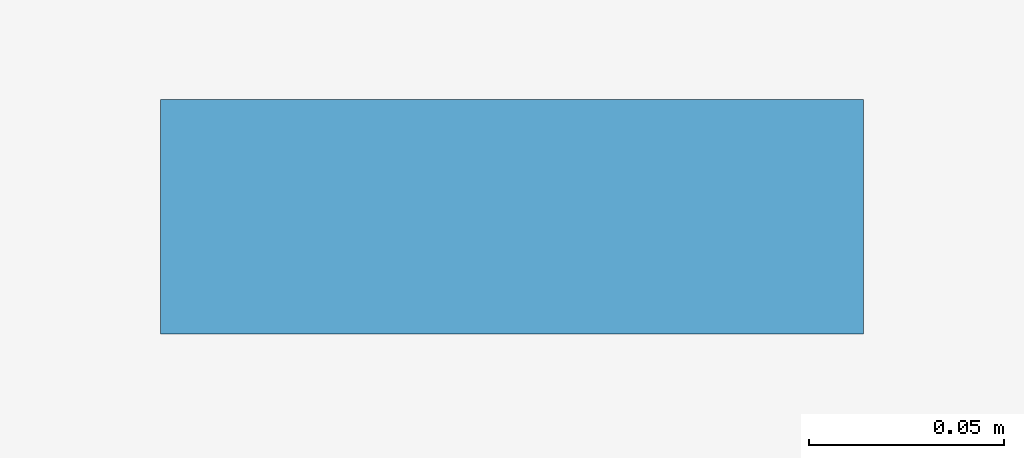
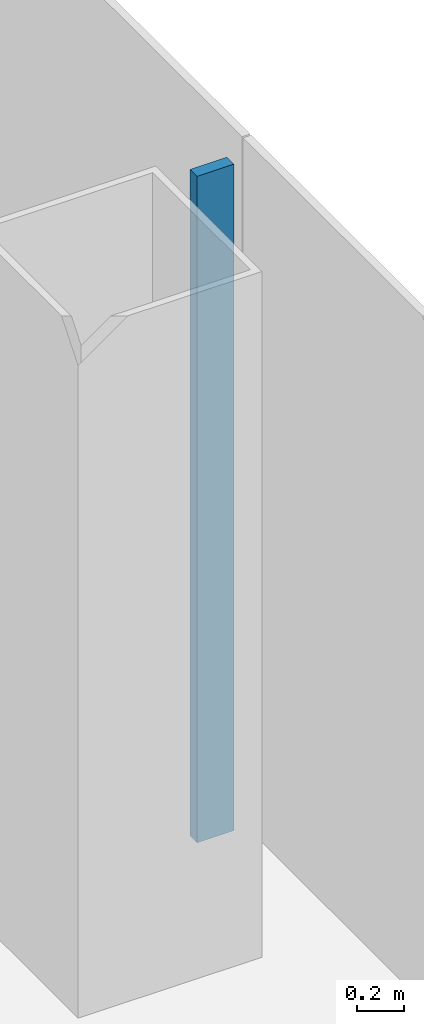
# One storey, part 4 of 20: 1 member, 1 element without a shape of its own.
"""IFC4 building model written with IfcOpenShell, lengths in metres."""

import ifcopenshell
import ifcopenshell.guid

model = None  # the IFC model being written
_history = None  # IfcOwnerHistory: only IFC2X3 demands one
_inside = {}  # id of a spatial element -> (the spatial element, [elements in it])
_under = {}  # id of a project, library or spatial element -> (it, [spatial elements below it])
_declared = {}  # id of a project -> (the project, [libraries it declares])
_typed = {}  # id of a type object -> (the type object, [elements of that type])
_made_of = {}  # id of a material, layer set ... -> (it, [elements and type objects made of it])


def new_model(schema):
    """Start an empty IFC model of exactly this schema.

    Asked for "IFC4X3", IfcOpenShell would pick the latest addendum, in which some entities
    have other attributes; the version numbers below select the first issue.
    IFC2X3 requires an IfcOwnerHistory on every rooted entity: one is made here for all.
    """
    global model, _history
    if schema == "IFC4X3":
        model = ifcopenshell.file(schema_version=(4, 3, 0, 0))
    else:
        model = ifcopenshell.file(schema=schema)
    _inside.clear()
    _under.clear()
    _declared.clear()
    _typed.clear()
    _made_of.clear()
    _history = None
    if model.schema == "IFC2X3":
        org = make("IfcOrganization", Name="unknown")
        user = make(
            "IfcPersonAndOrganization",
            ThePerson=make("IfcPerson", FamilyName="unknown"),
            TheOrganization=org,
        )
        app = make(
            "IfcApplication",
            ApplicationDeveloper=org,
            Version="unknown",
            ApplicationFullName="unknown",
            ApplicationIdentifier="unknown",
        )
        _history = make(
            "IfcOwnerHistory",
            OwningUser=user,
            OwningApplication=app,
            ChangeAction="ADDED",
            CreationDate=0,
        )
    return model


def make(cls, **values):
    """One entity of the class cls with the attributes given. An attribute that is None is left unset."""
    return model.create_entity(
        cls, **{name: value for name, value in values.items() if value is not None}
    )


def rooted(cls, **values):
    """An entity with a GlobalId (a new one), such as an element, a storey or a relation."""
    return make(cls, GlobalId=ifcopenshell.guid.new(), OwnerHistory=_history, **values)


def si_unit(unit_type, name, prefix=None):
    """IfcSIUnit, for example si_unit("LENGTHUNIT", "METRE", prefix="MILLI")."""
    return make("IfcSIUnit", UnitType=unit_type, Prefix=prefix, Name=name)


def assignment(units):
    """IfcUnitAssignment: the units of a project."""
    return None if units is None else make("IfcUnitAssignment", Units=units)


def point(xyz):
    """IfcCartesianPoint."""
    return None if xyz is None else make("IfcCartesianPoint", Coordinates=xyz)


def direction(xyz):
    """IfcDirection."""
    return None if xyz is None else make("IfcDirection", DirectionRatios=xyz)


def frame(location, z_axis=None, x_axis=None):
    """IfcAxis2Placement3D, a coordinate frame: its origin and axes. An axis left out is left unset."""
    return make(
        "IfcAxis2Placement3D",
        Location=point(location),
        Axis=direction(z_axis),
        RefDirection=direction(x_axis),
    )


def frame_2d(location, x_axis=None):
    """IfcAxis2Placement2D, a coordinate frame in the plane: its origin and x axis."""
    return make(
        "IfcAxis2Placement2D", Location=point(location), RefDirection=direction(x_axis)
    )


def origin():
    """The frame at (0, 0, 0) with its axes left unset."""
    return frame((0.0, 0.0, 0.0))


def origin_2d():
    """The frame at (0, 0) in the plane with its x axis left unset."""
    return frame_2d((0.0, 0.0))


def place(relative_to, where):
    """IfcLocalPlacement: puts the frame where relative to a parent placement (None: the world)."""
    return make(
        "IfcLocalPlacement", PlacementRelTo=relative_to, RelativePlacement=where
    )


def context(
    kind, dimensions, precision=None, world=None, true_north=None, identifier=None
):
    """IfcGeometricRepresentationContext, for example the 3D "Model" context."""
    return make(
        "IfcGeometricRepresentationContext",
        ContextIdentifier=identifier,
        ContextType=kind,
        CoordinateSpaceDimension=dimensions,
        Precision=precision,
        WorldCoordinateSystem=world,
        TrueNorth=true_north,
    )


def subcontext(parent, identifier, kind, view, scale=None):
    """IfcGeometricRepresentationSubContext, for example "Body" below "Model"."""
    return make(
        "IfcGeometricRepresentationSubContext",
        ContextIdentifier=identifier,
        ContextType=kind,
        ParentContext=parent,
        TargetScale=scale,
        TargetView=view,
    )


def project(units=None, contexts=None):
    """IfcProject with its units and contexts."""
    return rooted(
        "IfcProject",
        Name="project",
        RepresentationContexts=contexts,
        UnitsInContext=assignment(units),
    )


def spatial(cls, under=None, at=None, **own):
    """A site, building, storey or space (cls), placed at a placement, below another one or the project."""
    s = rooted(cls, ObjectPlacement=at, **own)
    if under is not None:
        _under.setdefault(under.id(), (under, []))[1].append(s)
    return s


def profile(cls, at=None, kind="AREA", **sizes):
    """A parametric profile (cls). Its sizes go by their IFC names, for example OverallWidth=200.0."""
    return make(cls, ProfileType=kind, Position=at, **sizes)


def rectangle(**sizes):
    """IfcRectangleProfileDef."""
    return profile("IfcRectangleProfileDef", **sizes)


def extrude(swept, where, along, depth):
    """IfcExtrudedAreaSolid: the profile swept, set in the frame where, extruded along a direction by depth."""
    return make(
        "IfcExtrudedAreaSolid",
        SweptArea=swept,
        Position=where,
        ExtrudedDirection=direction(along),
        Depth=depth,
    )


def shape(context_of_items, identifier, shape_type, items):
    """IfcShapeRepresentation: the items that make up one representation, for example the "Body"."""
    return make(
        "IfcShapeRepresentation",
        ContextOfItems=context_of_items,
        RepresentationIdentifier=identifier,
        RepresentationType=shape_type,
        Items=items,
    )


def material(Name=None, Category=None):
    """IfcMaterial."""
    return make("IfcMaterial", Name=Name, Category=Category)


def layer(
    of_material, thickness, ventilated=None, Name=None, Category=None, Priority=None
):
    """IfcMaterialLayer: one layer of a wall or slab, of a material (None: an air gap)."""
    return make(
        "IfcMaterialLayer",
        Material=of_material,
        LayerThickness=thickness,
        IsVentilated=ventilated,
        Name=Name,
        Category=Category,
        Priority=Priority,
    )


def layer_set(layers, Name=None):
    """IfcMaterialLayerSet."""
    return make("IfcMaterialLayerSet", MaterialLayers=layers, LayerSetName=Name)


def material_profile(
    of_material, cross_section, Name=None, Category=None, Priority=None
):
    """IfcMaterialProfile: a cross section and its material."""
    return make(
        "IfcMaterialProfile",
        Name=Name,
        Material=of_material,
        Profile=cross_section,
        Priority=Priority,
        Category=Category,
    )


def profile_set(profiles, Name=None, composite=None):
    """IfcMaterialProfileSet."""
    return make(
        "IfcMaterialProfileSet",
        Name=Name,
        MaterialProfiles=profiles,
        CompositeProfile=composite,
    )


def made_of(thing, what):
    """Note that an element or type object is made of a material, layer set ...; save() writes the relation."""
    if what is not None:
        _made_of.setdefault(what.id(), (what, []))[1].append(thing)
    return thing


def type_object(cls, material=None, **own):
    """A type object (cls), such as IfcWallType, which elements share."""
    return made_of(rooted(cls, **own), material)


def element(
    cls,
    number,
    at=None,
    inside=None,
    cuts=None,
    type_object=None,
    material=None,
    context=None,
    identifier="Body",
    shape_type=None,
    held_by="IfcProductDefinitionShape",
    body=None,
    shapes=None,
    **own,
):
    """One element of the class cls, such as IfcWall. Its Tag is "e" and its number.

    at: its placement. inside: the storey or other place that contains it. cuts: it is an
    opening in that element (IfcRelVoidsElement). A single representation is given by context,
    identifier, shape_type and body (its items); several are given by shapes. held_by: the class
    of the entity that holds the representations. save() writes the other relations.
    """
    e = rooted(cls, Tag="e%d" % number, ObjectPlacement=at, **own)
    if body is not None:
        shapes = [shape(context, identifier, shape_type, body)]
    if shapes is not None:
        e.Representation = make(held_by, Representations=shapes)
    if inside is not None:
        _inside.setdefault(inside.id(), (inside, []))[1].append(e)
    if cuts is not None:
        rooted(
            "IfcRelVoidsElement", RelatingBuildingElement=cuts, RelatedOpeningElement=e
        )
    if type_object is not None:
        _typed.setdefault(type_object.id(), (type_object, []))[1].append(e)
    return made_of(e, material)


def aggregate(whole, parts):
    """IfcRelAggregates: a whole, such as a stair, and the parts it consists of."""
    return rooted("IfcRelAggregates", RelatingObject=whole, RelatedObjects=parts)


def save(model, path):
    """Write the relations noted so far, then the file.

    IfcRelAggregates (storeys below a building ...), IfcRelContainedInSpatialStructure (elements
    in a storey), IfcRelDefinesByType, IfcRelAssociatesMaterial and IfcRelDeclares: one each for
    every whole, place, type object, material and project.
    """
    for whole, parts in _under.values():
        aggregate(whole, parts)
    for where, things in _inside.values():
        rooted(
            "IfcRelContainedInSpatialStructure",
            RelatedElements=things,
            RelatingStructure=where,
        )
    for kind, things in _typed.values():
        rooted("IfcRelDefinesByType", RelatedObjects=things, RelatingType=kind)
    for what, things in _made_of.values():
        rooted("IfcRelAssociatesMaterial", RelatedObjects=things, RelatingMaterial=what)
    for by, libraries in _declared.values():
        rooted("IfcRelDeclares", RelatingContext=by, RelatedDefinitions=libraries)
    model.write(path)


model = new_model("IFC4")

# Units and contexts
model_context = context("Model", 3, precision=1e-05, world=origin(), true_north=direction((0.0, 1.0)))
body_context = subcontext(model_context, "Body", "Model", "MODEL_VIEW")
ifc_project = project(units=[si_unit("LENGTHUNIT", "METRE"), si_unit("AREAUNIT", "SQUARE_METRE"), si_unit("VOLUMEUNIT", "CUBIC_METRE"), si_unit("PLANEANGLEUNIT", "RADIAN"), si_unit("MASSUNIT", "GRAM", prefix="KILO")], contexts=[model_context])

# Site, building, storey
site_placement = place(None, origin())
site = spatial("IfcSite", under=ifc_project, at=site_placement, CompositionType="ELEMENT")
building_placement = place(site_placement, origin())
building = spatial("IfcBuilding", under=site, at=building_placement, Name="Shamsa Quay Exchange Towers", CompositionType="ELEMENT")
storey_placement = place(building_placement, frame((0.0, 0.0, 109.199951171875)))
storey = spatial("IfcBuildingStorey", under=building, at=storey_placement, Name="L25", CompositionType="ELEMENT", Elevation=109.199951171875)

# Curtain wall, member
ifc_material = material(Name="Aluminium EN AW-6063 T6, black anodised", Category="aluminium")
ifc_layer = layer(ifc_material, 0.280029296875)
ifc_layer_set = layer_set([ifc_layer], Name="CW-1 UNITISED VISION GLASS")
curtain_wall_type = type_object("IfcCurtainWallType", Name="CW-1 UNITISED VISION GLASS", PredefinedType="NOTDEFINED", material=ifc_layer_set)
curtain_wall_placement = place(storey_placement, origin())
curtain_wall = element("IfcCurtainWall", 1, at=curtain_wall_placement, inside=storey, type_object=curtain_wall_type, Name="CW1 T1-END-U+ L25", PredefinedType="NOTDEFINED")
ifc_material_profile = material_profile(ifc_material, rectangle(XDim=0.179931640625, YDim=0.06005859375, at=origin_2d()), Name="MU60x180")
ifc_profile_set = profile_set([ifc_material_profile], Name="Aluminium EN AW-6063 T6, black anodised")
member_type = type_object("IfcMemberType", Name="CW1 MULLION 60x180", PredefinedType="MULLION", material=ifc_profile_set)
member_placement = place(storey_placement, frame((-4.64990234375, -2.25, 0.0), z_axis=(0.0, 0.0, 1.0), x_axis=(-1.0, 0.0, 0.0)))
member = element("IfcMember", 2, at=member_placement, type_object=member_type, Name="CW1 mullion", PredefinedType="MULLION", context=body_context, shape_type="SweptSolid", body=[
    extrude(rectangle(XDim=0.179931640625, YDim=0.06005859375, at=origin_2d()), origin(), (0.0, 0.0, 1.0), 3.449951171875),
])
aggregate(curtain_wall, [member])

save(model, "model.ifc")
